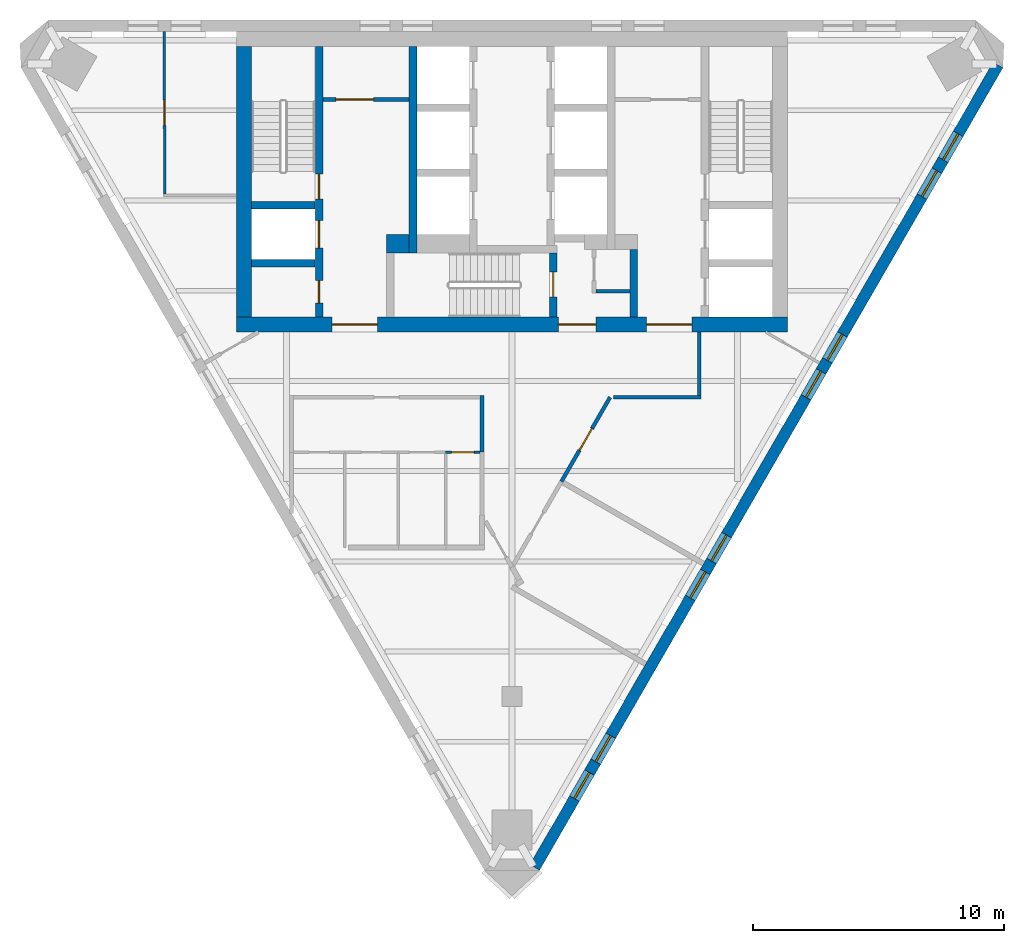
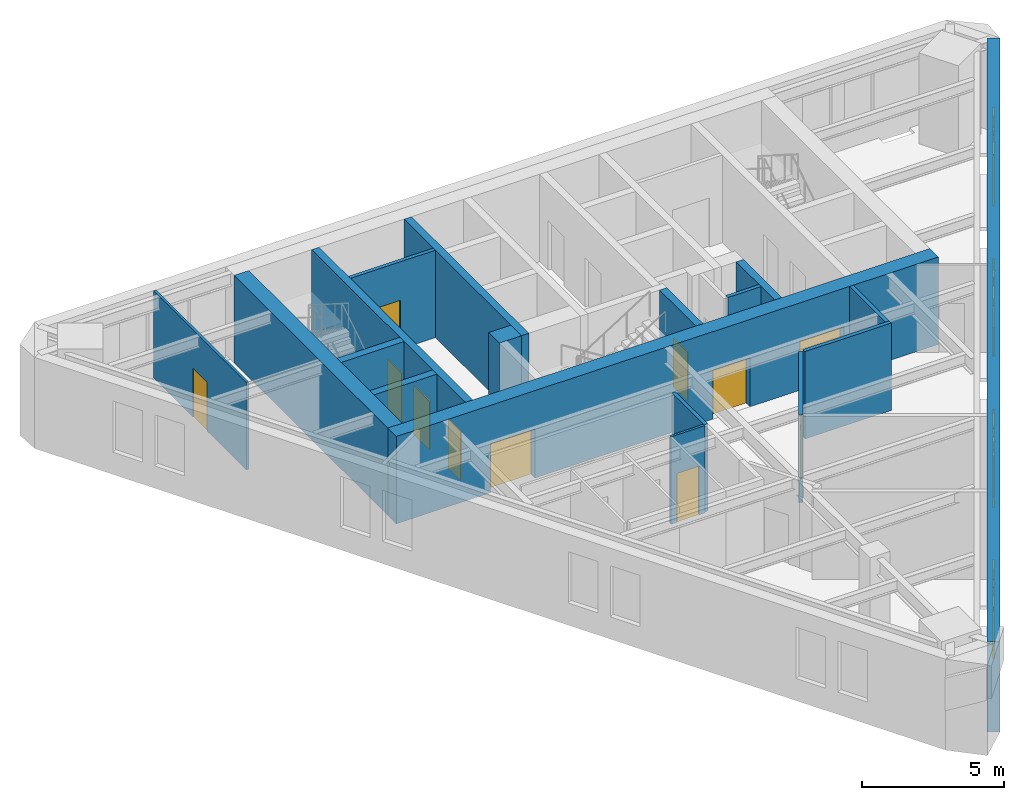
# One storey, part 3 of 6: 18 walls, 11 doors, 8 windows, 19 openings.
"""IFC4 building model written with IfcOpenShell, lengths in metres."""

from ifc_helpers import new_model, si_unit, direction, frame, frame_2d, origin, place, context, subcontext, project, spatial, polyline, rectangle, outline, extrude, material, layer, layer_set, type_object, element, fill, save


model = new_model("IFC4")

# Units and contexts
model_context = context("Model", 3, precision=1e-05, world=origin(), true_north=direction((0.0, 1.0)))
body_context = subcontext(model_context, "Body", "Model", "MODEL_VIEW")
ifc_project = project(units=[si_unit("LENGTHUNIT", "METRE"), si_unit("AREAUNIT", "SQUARE_METRE"), si_unit("VOLUMEUNIT", "CUBIC_METRE"), si_unit("PLANEANGLEUNIT", "RADIAN"), si_unit("MASSUNIT", "GRAM", prefix="KILO")], contexts=[model_context])

# Site, building, storey
site_placement = place(None, origin())
site = spatial("IfcSite", under=ifc_project, at=site_placement, CompositionType="ELEMENT")
building_placement = place(site_placement, origin())
building = spatial("IfcBuilding", under=site, at=building_placement, Name="Aloe Facet Convention Tower", CompositionType="ELEMENT")
storey_placement = place(building_placement, frame((0.0, 0.0, 266.0)))
storey = spatial("IfcBuildingStorey", under=building, at=storey_placement, Name="L65", CompositionType="ELEMENT", Elevation=266.0)

# Wall, opening, door
ifc_material_1 = material(Name="Concrete blockwork partition", Category="masonry")
ifc_layer_1 = layer(ifc_material_1, 0.14990234375)
ifc_layer_set_1 = layer_set([ifc_layer_1], Name="CR-W-PART150")
wall_type_1 = type_object("IfcWallType", Name="CR-W-PART150", PredefinedType="PARTITIONING", material=ifc_layer_set_1)
wall_1_placement = place(storey_placement, frame((72.449951171875, 131.824951171875, 0.0), z_axis=(0.0, 0.0, 1.0), x_axis=(1.0, 0.0, 0.0)))
wall_1 = element("IfcWall", 1, at=wall_1_placement, inside=storey, type_object=wall_type_1, Name="Core partition L65-007", PredefinedType="PARTITIONING", context=body_context, shape_type="SweptSolid", body=[
    extrude(rectangle(XDim=3.449951171875, YDim=0.14990234375, at=frame_2d((1.72509765625, 0.0))), origin(), (0.0, 0.0, 1.0), 3.75),
])
opening_1_placement = place(wall_1_placement, frame((0.52490234375, 0.0, 0.0)))
opening_1 = element("IfcOpeningElement", 2, at=opening_1_placement, cuts=wall_1, Name="Opening L65-CD14", PredefinedType="OPENING", context=body_context, shape_type="SweptSolid", body=[
    extrude(rectangle(XDim=1.5, YDim=2.10009765625, at=frame_2d((0.75, 1.050048828125))), frame((0.0, 0.0849609375, 0.0), z_axis=(0.0, -1.0, 0.0), x_axis=(1.0, 0.0, 0.0)), (0.0, 0.0, 1.0), 0.169921875),
])
ifc_material_2 = material(Name="Steel fire-resisting door set FD60", Category="steel")
door_type_1 = type_object("IfcDoorType", Name="CR-D-REFUGE-1500-FD60-DD", OperationType="DOUBLE_DOOR_DOUBLE_SWING", PredefinedType="DOOR", material=ifc_material_2)
door_1_placement = place(opening_1_placement, origin())
door_1 = element("IfcDoor", 3, at=door_1_placement, inside=storey, type_object=door_type_1, Name="Core door L65-CD14", OperationType="DOUBLE_DOOR_DOUBLE_SWING", OverallHeight=2.10009765625, OverallWidth=1.5, PredefinedType="DOOR", context=body_context, shape_type="SweptSolid", body=[
    extrude(rectangle(XDim=1.5, YDim=2.10009765625, at=frame_2d((0.75, 1.050048828125))), frame((0.0, 0.02490234375, 0.0), z_axis=(0.0, -1.0, 0.0), x_axis=(1.0, 0.0, 0.0)), (0.0, 0.0, 1.0), 0.050048828125),
])
fill(opening_1, door_1)

# Walls
wall_2_placement = place(storey_placement, frame((83.35009765625, 124.175048828125, 0.0), z_axis=(0.0, 0.0, 1.0), x_axis=(1.0, 0.0, 0.0)))
element("IfcWall", 4, at=wall_2_placement, inside=storey, type_object=wall_type_1, Name="Core partition L65-023", PredefinedType="PARTITIONING", context=body_context, shape_type="SweptSolid", body=[
    extrude(rectangle(XDim=1.349853515625, YDim=0.14990234375, at=frame_2d((0.6748046875, 0.0))), origin(), (0.0, 0.0, 1.0), 3.75),
])
ifc_material_3 = material(Name="Concrete C50/60", Category="concrete")
ifc_layer_2 = layer(ifc_material_3, 0.300048828125)
ifc_layer_set_2 = layer_set([ifc_layer_2], Name="CR-W-RC300-C5060")
wall_type_2 = type_object("IfcWallType", Name="CR-W-RC300-C5060", PredefinedType="SOLIDWALL", material=ifc_layer_set_2)
for number, where, z_axis, x_axis, name in (
    (5, (69.60009765625, 127.60009765625, 0.0), (0.0, 0.0, 1.0), (1.0, 0.0, 0.0), "Core wall L65-004"),
    (6, (69.60009765625, 125.300048828125, 0.0), (0.0, 0.0, 1.0), (1.0, 0.0, 0.0), "Core wall L65-005"),
):
    element("IfcWall", number, at=place(storey_placement, frame(where, z_axis=z_axis, x_axis=x_axis)), inside=storey, type_object=wall_type_2, Name=name, PredefinedType="SOLIDWALL", context=body_context, shape_type="SweptSolid", body=[
        extrude(rectangle(XDim=2.5498046875, YDim=0.300048828125, at=frame_2d((1.27490234375, 0.0))), origin(), (0.0, 0.0, 1.0), 3.75),
    ])

# Wall, openings, doors
wall_3_placement = place(storey_placement, frame((72.300048828125, 133.949951171875, 0.0), z_axis=(0.0, 0.0, 1.0), x_axis=(0.0, -1.0, 0.0)))
wall_3 = element("IfcWall", 7, at=wall_3_placement, inside=storey, type_object=wall_type_2, Name="Core wall L65-006", PredefinedType="SOLIDWALL", context=body_context, shape_type="SweptSolid", body=[
    extrude(rectangle(XDim=10.800048828125, YDim=0.300048828125, at=frame_2d((5.39990234375, 0.0))), origin(), (0.0, 0.0, 1.0), 3.75),
])
opening_2_placement = place(wall_3_placement, frame((6.949951171875, 0.0, 0.0)))
opening_2 = element("IfcOpeningElement", 8, at=opening_2_placement, cuts=wall_3, Name="Opening LD-FF1-L65", PredefinedType="OPENING", context=body_context, shape_type="SweptSolid", body=[
    extrude(rectangle(XDim=1.10009765625, YDim=2.10009765625, at=frame_2d((0.550048828125, 1.050048828125))), frame((0.0, 0.16015625, 0.0), z_axis=(0.0, -1.0, 0.0), x_axis=(1.0, 0.0, 0.0)), (0.0, 0.0, 1.0), 0.320068359375),
])
opening_3_placement = place(wall_3_placement, frame((9.35009765625, 0.0, 0.0)))
opening_3 = element("IfcOpeningElement", 9, at=opening_3_placement, cuts=wall_3, Name="Opening L65-CD15", PredefinedType="OPENING", context=body_context, shape_type="SweptSolid", body=[
    extrude(rectangle(XDim=0.89990234375, YDim=2.10009765625, at=frame_2d((0.449951171875, 1.050048828125))), frame((0.0, 0.16015625, 0.0), z_axis=(0.0, -1.0, 0.0), x_axis=(1.0, 0.0, 0.0)), (0.0, 0.0, 1.0), 0.320068359375),
])
opening_4_placement = place(wall_3_placement, frame((5.10009765625, 0.0, 0.0)))
opening_4 = element("IfcOpeningElement", 10, at=opening_4_placement, cuts=wall_3, Name="Opening L65-CD16", PredefinedType="OPENING", context=body_context, shape_type="SweptSolid", body=[
    extrude(rectangle(XDim=1.0, YDim=2.10009765625, at=frame_2d((0.5, 1.050048828125))), frame((0.0, 0.16015625, 0.0), z_axis=(0.0, -1.0, 0.0), x_axis=(1.0, 0.0, 0.0)), (0.0, 0.0, 1.0), 0.320068359375),
])
ifc_material_4 = material(Name="Steel fire-resisting door set FD60", Category="steel")
door_type_2 = type_object("IfcDoorType", Name="CR-D-ROOM-900-FD60-SLEFT", OperationType="SINGLE_SWING_LEFT", PredefinedType="DOOR", material=ifc_material_4)
door_2_placement = place(opening_3_placement, origin())
door_2 = element("IfcDoor", 11, at=door_2_placement, inside=storey, type_object=door_type_2, Name="Core door L65-CD15", OperationType="SINGLE_SWING_LEFT", OverallHeight=2.10009765625, OverallWidth=0.89990234375, PredefinedType="DOOR", context=body_context, shape_type="SweptSolid", body=[
    extrude(rectangle(XDim=0.89990234375, YDim=2.10009765625, at=frame_2d((0.449951171875, 1.050048828125))), frame((0.0, 0.02490234375, 0.0), z_axis=(0.0, -1.0, 0.0), x_axis=(1.0, 0.0, 0.0)), (0.0, 0.0, 1.0), 0.050048828125),
])
fill(opening_3, door_2)
ifc_material_5 = material(Name="Steel fire-resisting door set FD120", Category="steel")
door_type_3 = type_object("IfcDoorType", Name="CR-D-STAIR-1000-FD120-SRIGHT", OperationType="SINGLE_SWING_RIGHT", PredefinedType="DOOR", material=ifc_material_5)
door_3_placement = place(opening_4_placement, origin())
door_3 = element("IfcDoor", 12, at=door_3_placement, inside=storey, type_object=door_type_3, Name="Core door L65-CD16", OperationType="SINGLE_SWING_RIGHT", OverallHeight=2.10009765625, OverallWidth=1.0, PredefinedType="DOOR", context=body_context, shape_type="SweptSolid", body=[
    extrude(rectangle(XDim=1.0, YDim=2.10009765625, at=frame_2d((0.5, 1.050048828125))), frame((0.0, 0.02490234375, 0.0), z_axis=(0.0, -1.0, 0.0), x_axis=(1.0, 0.0, 0.0)), (0.0, 0.0, 1.0), 0.050048828125),
])
fill(opening_4, door_3)
ifc_material_6 = material(Name="Stainless steel sliding landing door", Category="steel")
door_type_4 = type_object("IfcDoorType", Name="CR-LD-1100-FD120-_LEFT", OperationType="SLIDING_TO_LEFT", PredefinedType="DOOR", material=ifc_material_6)
door_4_placement = place(opening_2_placement, origin())
door_4 = element("IfcDoor", 13, at=door_4_placement, inside=storey, type_object=door_type_4, Name="Landing door FF1 L65", OperationType="SLIDING_TO_LEFT", OverallHeight=2.10009765625, OverallWidth=1.10009765625, PredefinedType="DOOR", context=body_context, shape_type="SweptSolid", body=[
    extrude(rectangle(XDim=1.10009765625, YDim=2.10009765625, at=frame_2d((0.550048828125, 1.050048828125))), frame((0.0, 0.02490234375, 0.0), z_axis=(0.0, -1.0, 0.0), x_axis=(1.0, 0.0, 0.0)), (0.0, 0.0, 1.0), 0.050048828125),
])
fill(opening_2, door_4)

# Wall
wall_4_placement = place(storey_placement, frame((76.050048828125, 133.949951171875, 0.0), z_axis=(0.0, 0.0, 1.0), x_axis=(0.0, -1.0, 0.0)))
element("IfcWall", 14, at=wall_4_placement, inside=storey, type_object=wall_type_2, Name="Core wall L65-010", PredefinedType="SOLIDWALL", context=body_context, shape_type="SweptSolid", body=[
    extrude(rectangle(XDim=8.25, YDim=0.300048828125, at=frame_2d((4.125, 0.0))), origin(), (0.0, 0.0, 1.0), 3.75),
])

# Wall, opening, door
wall_5_placement = place(storey_placement, frame((81.64990234375, 125.699951171875, 0.0), z_axis=(0.0, 0.0, 1.0), x_axis=(0.0, -1.0, 0.0)))
wall_5 = element("IfcWall", 15, at=wall_5_placement, inside=storey, type_object=wall_type_2, Name="Core wall L65-017", PredefinedType="SOLIDWALL", context=body_context, shape_type="SweptSolid", body=[
    extrude(rectangle(XDim=2.550048828125, YDim=0.300048828125, at=frame_2d((1.27490234375, 0.0))), origin(), (0.0, 0.0, 1.0), 3.75),
])
opening_5_placement = place(wall_5_placement, frame((0.75, 0.0, 0.0)))
opening_5 = element("IfcOpeningElement", 16, at=opening_5_placement, cuts=wall_5, Name="Opening L65-CD18", PredefinedType="OPENING", context=body_context, shape_type="SweptSolid", body=[
    extrude(rectangle(XDim=1.0, YDim=2.10009765625, at=frame_2d((0.5, 1.050048828125))), frame((0.0, 0.16015625, 0.0), z_axis=(0.0, -1.0, 0.0), x_axis=(1.0, 0.0, 0.0)), (0.0, 0.0, 1.0), 0.320068359375),
])
ifc_material_7 = material(Name="Steel fire-resisting door set FD120", Category="steel")
door_type_5 = type_object("IfcDoorType", Name="CR-D-STAIR-1000-FD120-SLEFT", OperationType="SINGLE_SWING_LEFT", PredefinedType="DOOR", material=ifc_material_7)
door_5_placement = place(opening_5_placement, origin())
door_5 = element("IfcDoor", 17, at=door_5_placement, inside=storey, type_object=door_type_5, Name="Core door L65-CD18", OperationType="SINGLE_SWING_LEFT", OverallHeight=2.10009765625, OverallWidth=1.0, PredefinedType="DOOR", context=body_context, shape_type="SweptSolid", body=[
    extrude(rectangle(XDim=1.0, YDim=2.10009765625, at=frame_2d((0.5, 1.050048828125))), frame((0.0, 0.02490234375, 0.0), z_axis=(0.0, -1.0, 0.0), x_axis=(1.0, 0.0, 0.0)), (0.0, 0.0, 1.0), 0.050048828125),
])
fill(opening_5, door_5)

# Walls
wall_6_placement = place(storey_placement, frame((84.85009765625, 125.85009765625, 0.0), z_axis=(0.0, 0.0, 1.0), x_axis=(0.0, -1.0, 0.0)))
element("IfcWall", 18, at=wall_6_placement, inside=storey, type_object=wall_type_2, Name="Core wall L65-027", PredefinedType="SOLIDWALL", context=body_context, shape_type="SweptSolid", body=[
    extrude(rectangle(XDim=2.7001953125, YDim=0.300048828125, at=frame_2d((1.35009765625, 0.0))), origin(), (0.0, 0.0, 1.0), 3.75),
])
ifc_material_8 = material(Name="Concrete C50/60", Category="concrete")
ifc_layer_3 = layer(ifc_material_8, 0.60009765625)
ifc_layer_set_3 = layer_set([ifc_layer_3], Name="CR-W-RC600-C5060")
wall_type_3 = type_object("IfcWallType", Name="CR-W-RC600-C5060", PredefinedType="SOLIDWALL", material=ifc_layer_set_3)
wall_7_placement = place(storey_placement, frame((69.300048828125, 133.949951171875, 0.0), z_axis=(0.0, 0.0, 1.0), x_axis=(0.0, -1.0, 0.0)))
element("IfcWall", 19, at=wall_7_placement, inside=storey, type_object=wall_type_3, Name="Core wall L65-002", PredefinedType="SOLIDWALL", context=body_context, shape_type="SweptSolid", body=[
    extrude(rectangle(XDim=10.800048828125, YDim=0.60009765625, at=frame_2d((5.39990234375, 0.0))), origin(), (0.0, 0.0, 1.0), 3.75),
])

# Wall, openings, doors
wall_8_placement = place(storey_placement, frame((69.0, 122.85009765625, 0.0), z_axis=(0.0, 0.0, 1.0), x_axis=(1.0, 0.0, 0.0)))
wall_8 = element("IfcWall", 20, at=wall_8_placement, inside=storey, type_object=wall_type_3, Name="Core wall L65-003", PredefinedType="SOLIDWALL", context=body_context, shape_type="SweptSolid", body=[
    extrude(rectangle(XDim=22.0, YDim=0.60009765625, at=frame_2d((11.0, 0.0))), origin(), (0.0, 0.0, 1.0), 3.75),
])
opening_6_placement = place(wall_8_placement, frame((16.375, 0.0, 0.0)))
opening_6 = element("IfcOpeningElement", 21, at=opening_6_placement, cuts=wall_8, Name="Opening L65-CD09", PredefinedType="OPENING", context=body_context, shape_type="SweptSolid", body=[
    extrude(rectangle(XDim=1.800048828125, YDim=2.10009765625, at=frame_2d((0.89990234375, 1.050048828125))), frame((0.0, 0.31005859375, 0.0), z_axis=(0.0, -1.0, 0.0), x_axis=(1.0, 0.0, 0.0)), (0.0, 0.0, 1.0), 0.6201171875),
])
opening_7_placement = place(wall_8_placement, frame((3.824951171875, 0.0, 0.0)))
opening_7 = element("IfcOpeningElement", 22, at=opening_7_placement, cuts=wall_8, Name="Opening L65-CD10", PredefinedType="OPENING", context=body_context, shape_type="SweptSolid", body=[
    extrude(rectangle(XDim=1.800048828125, YDim=2.10009765625, at=frame_2d((0.89990234375, 1.050048828125))), frame((0.0, 0.31005859375, 0.0), z_axis=(0.0, -1.0, 0.0), x_axis=(1.0, 0.0, 0.0)), (0.0, 0.0, 1.0), 0.6201171875),
])
opening_8_placement = place(wall_8_placement, frame((12.85009765625, 0.0, 0.0)))
opening_8 = element("IfcOpeningElement", 23, at=opening_8_placement, cuts=wall_8, Name="Opening L65-CD11", PredefinedType="OPENING", context=body_context, shape_type="SweptSolid", body=[
    extrude(rectangle(XDim=1.5, YDim=2.10009765625, at=frame_2d((0.75, 1.050048828125))), frame((0.0, 0.31005859375, 0.0), z_axis=(0.0, -1.0, 0.0), x_axis=(1.0, 0.0, 0.0)), (0.0, 0.0, 1.0), 0.6201171875),
])
ifc_material_9 = material(Name="Steel fire-resisting door set FD60", Category="steel")
door_type_6 = type_object("IfcDoorType", Name="CR-D-EXIT-1500-FD60-DD", OperationType="DOUBLE_DOOR_DOUBLE_SWING", PredefinedType="DOOR", material=ifc_material_9)
door_6_placement = place(opening_8_placement, origin())
door_6 = element("IfcDoor", 24, at=door_6_placement, inside=storey, type_object=door_type_6, Name="Core door L65-CD11", OperationType="DOUBLE_DOOR_DOUBLE_SWING", OverallHeight=2.10009765625, OverallWidth=1.5, PredefinedType="DOOR", context=body_context, shape_type="SweptSolid", body=[
    extrude(rectangle(XDim=1.5, YDim=2.10009765625, at=frame_2d((0.75, 1.050048828125))), frame((0.0, 0.02490234375, 0.0), z_axis=(0.0, -1.0, 0.0), x_axis=(1.0, 0.0, 0.0)), (0.0, 0.0, 1.0), 0.050048828125),
])
fill(opening_8, door_6)
ifc_material_10 = material(Name="Steel fire-resisting door set FD120", Category="steel")
door_type_7 = type_object("IfcDoorType", Name="CR-D-EXIT-1800-FD120-DD", OperationType="DOUBLE_DOOR_DOUBLE_SWING", PredefinedType="DOOR", material=ifc_material_10)
door_7_placement = place(opening_6_placement, origin())
door_7 = element("IfcDoor", 25, at=door_7_placement, inside=storey, type_object=door_type_7, Name="Core door L65-CD09", OperationType="DOUBLE_DOOR_DOUBLE_SWING", OverallHeight=2.10009765625, OverallWidth=1.800048828125, PredefinedType="DOOR", context=body_context, shape_type="SweptSolid", body=[
    extrude(rectangle(XDim=1.800048828125, YDim=2.10009765625, at=frame_2d((0.89990234375, 1.050048828125))), frame((0.0, 0.02490234375, 0.0), z_axis=(0.0, -1.0, 0.0), x_axis=(1.0, 0.0, 0.0)), (0.0, 0.0, 1.0), 0.050048828125),
])
fill(opening_6, door_7)
door_8_placement = place(opening_7_placement, origin())
door_8 = element("IfcDoor", 26, at=door_8_placement, inside=storey, type_object=door_type_7, Name="Core door L65-CD10", OperationType="DOUBLE_DOOR_DOUBLE_SWING", OverallHeight=2.10009765625, OverallWidth=1.800048828125, PredefinedType="DOOR", context=body_context, shape_type="SweptSolid", body=[
    extrude(rectangle(XDim=1.800048828125, YDim=2.10009765625, at=frame_2d((0.89990234375, 1.050048828125))), frame((0.0, 0.02490234375, 0.0), z_axis=(0.0, -1.0, 0.0), x_axis=(1.0, 0.0, 0.0)), (0.0, 0.0, 1.0), 0.050048828125),
])
fill(opening_7, door_8)

# Wall
ifc_material_11 = material(Name="Concrete C50/60", Category="concrete")
ifc_layer_4 = layer(ifc_material_11, 0.75)
ifc_layer_set_4 = layer_set([ifc_layer_4], Name="CR-W-RC750-C5060")
wall_type_4 = type_object("IfcWallType", Name="CR-W-RC750-C5060", PredefinedType="SOLIDWALL", material=ifc_layer_set_4)
wall_9_placement = place(storey_placement, frame((75.0, 126.074951171875, 0.0), z_axis=(0.0, 0.0, 1.0), x_axis=(1.0, 0.0, 0.0)))
element("IfcWall", 27, at=wall_9_placement, inside=storey, type_object=wall_type_4, Name="Core wall L65-008", PredefinedType="SOLIDWALL", context=body_context, shape_type="SweptSolid", body=[
    extrude(rectangle(XDim=0.89990234375, YDim=0.75, at=frame_2d((0.449951171875, 0.0))), origin(), (0.0, 0.0, 1.0), 3.75),
])

# Wall, openings, windows
ifc_material_12 = material(Name="Precast concrete C40/50", Category="concrete")
ifc_layer_5 = layer(ifc_material_12, 0.449951171875)
ifc_layer_set_5 = layer_set([ifc_layer_5], Name="EV-WALL-STONE")
wall_type_5 = type_object("IfcWallType", Name="EV-WALL-STONE", PredefinedType="SOLIDWALL", material=ifc_layer_set_5)
wall_10_placement = place(storey_placement, frame((80.905029296875, 101.188232421875, -0.14990234375), z_axis=(0.0, 0.0, 1.0), x_axis=(0.500002536638, 0.866023939251, 0.0)))
wall_10 = element("IfcWall", 28, at=wall_10_placement, inside=storey, type_object=wall_type_5, Name="EW-L65-E01", PredefinedType="SOLIDWALL", context=body_context, shape_type="SweptSolid", body=[
    extrude(outline(polyline([(36.972412109375, 0.0), (36.972412109375, 3.89990234375), (0.0, 3.89990234375), (0.0, 0.0), (36.972412109375, 0.0)])), frame((0.0, 0.22509765625, 0.0), z_axis=(0.0, -1.0, 0.0), x_axis=(1.0, 0.0, 0.0)), (0.0, 0.0, 1.0), 0.449951171875),
])
opening_9_placement = place(wall_10_placement, frame((3.171630859375, 0.0, 0.949951171875)))
opening_9 = element("IfcOpeningElement", 29, at=opening_9_placement, cuts=wall_10, Name="Opening W-L65-E01", PredefinedType="OPENING", context=body_context, shape_type="SweptSolid", body=[
    extrude(rectangle(XDim=1.199951171875, YDim=2.199951171875, at=frame_2d((0.60009765625, 1.10009765625))), frame((0.0, 0.23486328125, 0.0), z_axis=(0.0, -1.0, 0.0), x_axis=(1.0, 0.0, 0.0)), (0.0, 0.0, 1.0), 0.469970703125),
])
opening_10_placement = place(wall_10_placement, frame((4.87158203125, 0.0, 0.949951171875)))
opening_10 = element("IfcOpeningElement", 30, at=opening_10_placement, cuts=wall_10, Name="Opening W-L65-E02", PredefinedType="OPENING", context=body_context, shape_type="SweptSolid", body=[
    extrude(rectangle(XDim=1.199951171875, YDim=2.199951171875, at=frame_2d((0.60009765625, 1.10009765625))), frame((0.0, 0.23486328125, 0.0), z_axis=(0.0, -1.0, 0.0), x_axis=(1.0, 0.0, 0.0)), (0.0, 0.0, 1.0), 0.469970703125),
])
opening_11_placement = place(wall_10_placement, frame((12.41455078125, 0.0, 0.949951171875)))
opening_11 = element("IfcOpeningElement", 31, at=opening_11_placement, cuts=wall_10, Name="Opening W-L65-E03", PredefinedType="OPENING", context=body_context, shape_type="SweptSolid", body=[
    extrude(rectangle(XDim=1.199951171875, YDim=2.199951171875, at=frame_2d((0.60009765625, 1.10009765625))), frame((0.0, 0.23486328125, 0.0), z_axis=(0.0, -1.0, 0.0), x_axis=(1.0, 0.0, 0.0)), (0.0, 0.0, 1.0), 0.469970703125),
])
opening_12_placement = place(wall_10_placement, frame((14.114501953125, 0.0, 0.949951171875)))
opening_12 = element("IfcOpeningElement", 32, at=opening_12_placement, cuts=wall_10, Name="Opening W-L65-E04", PredefinedType="OPENING", context=body_context, shape_type="SweptSolid", body=[
    extrude(rectangle(XDim=1.199951171875, YDim=2.199951171875, at=frame_2d((0.60009765625, 1.10009765625))), frame((0.0, 0.23486328125, 0.0), z_axis=(0.0, -1.0, 0.0), x_axis=(1.0, 0.0, 0.0)), (0.0, 0.0, 1.0), 0.469970703125),
])
opening_13_placement = place(wall_10_placement, frame((21.65771484375, 0.0, 0.949951171875)))
opening_13 = element("IfcOpeningElement", 33, at=opening_13_placement, cuts=wall_10, Name="Opening W-L65-E05", PredefinedType="OPENING", context=body_context, shape_type="SweptSolid", body=[
    extrude(rectangle(XDim=1.199951171875, YDim=2.199951171875, at=frame_2d((0.60009765625, 1.10009765625))), frame((0.0, 0.23486328125, 0.0), z_axis=(0.0, -1.0, 0.0), x_axis=(1.0, 0.0, 0.0)), (0.0, 0.0, 1.0), 0.469970703125),
])
opening_14_placement = place(wall_10_placement, frame((23.357666015625, 0.0, 0.949951171875)))
opening_14 = element("IfcOpeningElement", 34, at=opening_14_placement, cuts=wall_10, Name="Opening W-L65-E06", PredefinedType="OPENING", context=body_context, shape_type="SweptSolid", body=[
    extrude(rectangle(XDim=1.199951171875, YDim=2.199951171875, at=frame_2d((0.60009765625, 1.10009765625))), frame((0.0, 0.23486328125, 0.0), z_axis=(0.0, -1.0, 0.0), x_axis=(1.0, 0.0, 0.0)), (0.0, 0.0, 1.0), 0.469970703125),
])
opening_15_placement = place(wall_10_placement, frame((30.90087890625, 0.0, 0.949951171875)))
opening_15 = element("IfcOpeningElement", 35, at=opening_15_placement, cuts=wall_10, Name="Opening W-L65-E07", PredefinedType="OPENING", context=body_context, shape_type="SweptSolid", body=[
    extrude(rectangle(XDim=1.199951171875, YDim=2.199951171875, at=frame_2d((0.60009765625, 1.10009765625))), frame((0.0, 0.23486328125, 0.0), z_axis=(0.0, -1.0, 0.0), x_axis=(1.0, 0.0, 0.0)), (0.0, 0.0, 1.0), 0.469970703125),
])
opening_16_placement = place(wall_10_placement, frame((32.600830078125, 0.0, 0.949951171875)))
opening_16 = element("IfcOpeningElement", 36, at=opening_16_placement, cuts=wall_10, Name="Opening W-L65-E08", PredefinedType="OPENING", context=body_context, shape_type="SweptSolid", body=[
    extrude(rectangle(XDim=1.199951171875, YDim=2.199951171875, at=frame_2d((0.60009765625, 1.10009765625))), frame((0.0, 0.23486328125, 0.0), z_axis=(0.0, -1.0, 0.0), x_axis=(1.0, 0.0, 0.0)), (0.0, 0.0, 1.0), 0.469970703125),
])
ifc_material_13 = material(Name="Aluminium frame, clear double glazing", Category="aluminium")
window_type = type_object("IfcWindowType", Name="EV-WIN-O12", PartitioningType="SINGLE_PANEL", PredefinedType="WINDOW", material=ifc_material_13)
window_1_placement = place(opening_9_placement, origin())
window_1 = element("IfcWindow", 37, at=window_1_placement, inside=storey, type_object=window_type, Name="W-L65-E01", OverallHeight=2.199951171875, OverallWidth=1.199951171875, PartitioningType="SINGLE_PANEL", PredefinedType="WINDOW", context=body_context, shape_type="SweptSolid", body=[
    extrude(rectangle(XDim=1.199951171875, YDim=2.199951171875, at=frame_2d((0.60009765625, 1.10009765625))), frame((0.0, 0.030029296875, 0.0), z_axis=(0.0, -1.0, 0.0), x_axis=(1.0, 0.0, 0.0)), (0.0, 0.0, 1.0), 0.06005859375),
])
fill(opening_9, window_1)
window_2_placement = place(opening_10_placement, origin())
window_2 = element("IfcWindow", 38, at=window_2_placement, inside=storey, type_object=window_type, Name="W-L65-E02", OverallHeight=2.199951171875, OverallWidth=1.199951171875, PartitioningType="SINGLE_PANEL", PredefinedType="WINDOW", context=body_context, shape_type="SweptSolid", body=[
    extrude(rectangle(XDim=1.199951171875, YDim=2.199951171875, at=frame_2d((0.60009765625, 1.10009765625))), frame((0.0, 0.030029296875, 0.0), z_axis=(0.0, -1.0, 0.0), x_axis=(1.0, 0.0, 0.0)), (0.0, 0.0, 1.0), 0.06005859375),
])
fill(opening_10, window_2)
window_3_placement = place(opening_11_placement, origin())
window_3 = element("IfcWindow", 39, at=window_3_placement, inside=storey, type_object=window_type, Name="W-L65-E03", OverallHeight=2.199951171875, OverallWidth=1.199951171875, PartitioningType="SINGLE_PANEL", PredefinedType="WINDOW", context=body_context, shape_type="SweptSolid", body=[
    extrude(rectangle(XDim=1.199951171875, YDim=2.199951171875, at=frame_2d((0.60009765625, 1.10009765625))), frame((0.0, 0.030029296875, 0.0), z_axis=(0.0, -1.0, 0.0), x_axis=(1.0, 0.0, 0.0)), (0.0, 0.0, 1.0), 0.06005859375),
])
fill(opening_11, window_3)
window_4_placement = place(opening_12_placement, origin())
window_4 = element("IfcWindow", 40, at=window_4_placement, inside=storey, type_object=window_type, Name="W-L65-E04", OverallHeight=2.199951171875, OverallWidth=1.199951171875, PartitioningType="SINGLE_PANEL", PredefinedType="WINDOW", context=body_context, shape_type="SweptSolid", body=[
    extrude(rectangle(XDim=1.199951171875, YDim=2.199951171875, at=frame_2d((0.60009765625, 1.10009765625))), frame((0.0, 0.030029296875, 0.0), z_axis=(0.0, -1.0, 0.0), x_axis=(1.0, 0.0, 0.0)), (0.0, 0.0, 1.0), 0.06005859375),
])
fill(opening_12, window_4)
window_5_placement = place(opening_13_placement, origin())
window_5 = element("IfcWindow", 41, at=window_5_placement, inside=storey, type_object=window_type, Name="W-L65-E05", OverallHeight=2.199951171875, OverallWidth=1.199951171875, PartitioningType="SINGLE_PANEL", PredefinedType="WINDOW", context=body_context, shape_type="SweptSolid", body=[
    extrude(rectangle(XDim=1.199951171875, YDim=2.199951171875, at=frame_2d((0.60009765625, 1.10009765625))), frame((0.0, 0.030029296875, 0.0), z_axis=(0.0, -1.0, 0.0), x_axis=(1.0, 0.0, 0.0)), (0.0, 0.0, 1.0), 0.06005859375),
])
fill(opening_13, window_5)
window_6_placement = place(opening_14_placement, origin())
window_6 = element("IfcWindow", 42, at=window_6_placement, inside=storey, type_object=window_type, Name="W-L65-E06", OverallHeight=2.199951171875, OverallWidth=1.199951171875, PartitioningType="SINGLE_PANEL", PredefinedType="WINDOW", context=body_context, shape_type="SweptSolid", body=[
    extrude(rectangle(XDim=1.199951171875, YDim=2.199951171875, at=frame_2d((0.60009765625, 1.10009765625))), frame((0.0, 0.030029296875, 0.0), z_axis=(0.0, -1.0, 0.0), x_axis=(1.0, 0.0, 0.0)), (0.0, 0.0, 1.0), 0.06005859375),
])
fill(opening_14, window_6)
window_7_placement = place(opening_15_placement, origin())
window_7 = element("IfcWindow", 43, at=window_7_placement, inside=storey, type_object=window_type, Name="W-L65-E07", OverallHeight=2.199951171875, OverallWidth=1.199951171875, PartitioningType="SINGLE_PANEL", PredefinedType="WINDOW", context=body_context, shape_type="SweptSolid", body=[
    extrude(rectangle(XDim=1.199951171875, YDim=2.199951171875, at=frame_2d((0.60009765625, 1.10009765625))), frame((0.0, 0.030029296875, 0.0), z_axis=(0.0, -1.0, 0.0), x_axis=(1.0, 0.0, 0.0)), (0.0, 0.0, 1.0), 0.06005859375),
])
fill(opening_15, window_7)
window_8_placement = place(opening_16_placement, origin())
window_8 = element("IfcWindow", 44, at=window_8_placement, inside=storey, type_object=window_type, Name="W-L65-E08", OverallHeight=2.199951171875, OverallWidth=1.199951171875, PartitioningType="SINGLE_PANEL", PredefinedType="WINDOW", context=body_context, shape_type="SweptSolid", body=[
    extrude(rectangle(XDim=1.199951171875, YDim=2.199951171875, at=frame_2d((0.60009765625, 1.10009765625))), frame((0.0, 0.030029296875, 0.0), z_axis=(0.0, -1.0, 0.0), x_axis=(1.0, 0.0, 0.0)), (0.0, 0.0, 1.0), 0.06005859375),
])
fill(opening_16, window_8)

# Wall
ifc_material_14 = material(Name="Gypsum board partition on steel studs", Category="steel")
ifc_layer_6 = layer(ifc_material_14, 0.14990234375)
ifc_layer_set_6 = layer_set([ifc_layer_6], Name="IN-W-CORR")
wall_type_6 = type_object("IfcWallType", Name="IN-W-CORR", PredefinedType="PARTITIONING", material=ifc_layer_set_6)
wall_11_placement = place(storey_placement, frame((78.800048828125, 117.760009765625, 0.0), z_axis=(0.0, 0.0, 1.0), x_axis=(0.0, 1.0, 0.0)))
element("IfcWall", 45, at=wall_11_placement, inside=storey, type_object=wall_type_6, Name="Partition L65-W012", PredefinedType="PARTITIONING", context=body_context, shape_type="SweptSolid", body=[
    extrude(rectangle(XDim=2.262939453125, YDim=0.14990234375, at=frame_2d((1.13134765625, 0.0))), origin(), (0.0, 0.0, 1.0), 3.75),
])

# Wall, opening, door
wall_12_placement = place(storey_placement, frame((81.97021484375, 116.5830078125, 0.0), z_axis=(0.0, 0.0, 1.0), x_axis=(0.500003384379, 0.866023449803, 0.0)))
wall_12 = element("IfcWall", 46, at=wall_12_placement, inside=storey, type_object=wall_type_6, Name="Partition L65-W022", PredefinedType="PARTITIONING", context=body_context, shape_type="SweptSolid", body=[
    extrude(rectangle(XDim=3.88671875, YDim=0.14990234375, at=frame_2d((1.943359375, 0.0))), origin(), (0.0, 0.0, 1.0), 3.75),
])
opening_17_placement = place(wall_12_placement, frame((1.443359375, 0.0, 0.0)))
opening_17 = element("IfcOpeningElement", 47, at=opening_17_placement, cuts=wall_12, Name="Opening L65-011", PredefinedType="OPENING", context=body_context, shape_type="SweptSolid", body=[
    extrude(rectangle(XDim=1.0, YDim=2.10009765625, at=frame_2d((0.5, 1.050048828125))), frame((0.0, 0.0849609375, 0.0), z_axis=(0.0, -1.0, 0.0), x_axis=(1.0, 0.0, 0.0)), (0.0, 0.0, 1.0), 0.169921875),
])
ifc_material_15 = material(Name="Timber door FD30S with vision panel", Category="wood")
door_type_8 = type_object("IfcDoorType", Name="IN-OFF-D-ENTRY", OperationType="SINGLE_SWING_LEFT", PredefinedType="DOOR", material=ifc_material_15)
door_9_placement = place(opening_17_placement, origin())
door_9 = element("IfcDoor", 48, at=door_9_placement, inside=storey, type_object=door_type_8, Name="Door L65-011", OperationType="SINGLE_SWING_LEFT", OverallHeight=2.10009765625, OverallWidth=1.0, PredefinedType="DOOR", context=body_context, shape_type="SweptSolid", body=[
    extrude(rectangle(XDim=1.0, YDim=2.10009765625, at=frame_2d((0.5, 1.050048828125))), frame((0.0, 0.02490234375, 0.0), z_axis=(0.0, -1.0, 0.0), x_axis=(1.0, 0.0, 0.0)), (0.0, 0.0, 1.0), 0.050048828125),
])
fill(opening_17, door_9)

# Walls
wall_13_placement = place(storey_placement, frame((84.04345703125, 119.948974609375, 0.0), z_axis=(0.0, 0.0, 1.0), x_axis=(0.999999961215, 0.000278512731, 0.0)))
element("IfcWall", 49, at=wall_13_placement, inside=storey, type_object=wall_type_6, Name="Partition L65-W024", PredefinedType="PARTITIONING", context=body_context, shape_type="SweptSolid", body=[
    extrude(rectangle(XDim=3.50634765625, YDim=0.14990234375, at=frame_2d((1.753173828125, 0.0))), origin(), (0.0, 0.0, 1.0), 3.75),
])
wall_14_placement = place(storey_placement, frame((87.474853515625, 120.02490234375, 0.0), z_axis=(0.0, 0.0, 1.0), x_axis=(9.6693096e-05, 0.999999995325, 0.0)))
element("IfcWall", 50, at=wall_14_placement, inside=storey, type_object=wall_type_6, Name="Partition L65-W026", PredefinedType="PARTITIONING", context=body_context, shape_type="SweptSolid", body=[
    extrude(rectangle(XDim=2.52490234375, YDim=0.14990234375, at=frame_2d((1.262451171875, 0.0))), origin(), (0.0, 0.0, 1.0), 3.75),
])

# Wall, opening, door
ifc_material_16 = material(Name="Gypsum board partition on steel studs", Category="steel")
ifc_layer_7 = layer(ifc_material_16, 0.10009765625)
ifc_layer_set_7 = layer_set([ifc_layer_7], Name="IN-W-PART")
wall_type_7 = type_object("IfcWallType", Name="IN-W-PART", PredefinedType="PARTITIONING", material=ifc_layer_set_7)
wall_15_placement = place(storey_placement, frame((77.35595703125, 117.75, 0.0), z_axis=(0.0, 0.0, 1.0), x_axis=(0.999975819379, 0.006954182767, 0.0)))
wall_15 = element("IfcWall", 51, at=wall_15_placement, inside=storey, type_object=wall_type_7, Name="Partition L65-W019", PredefinedType="PARTITIONING", context=body_context, shape_type="SweptSolid", body=[
    extrude(rectangle(XDim=1.369140625, YDim=0.10009765625, at=frame_2d((0.6845703125, 0.0))), origin(), (0.0, 0.0, 1.0), 3.75),
])
opening_18_placement = place(wall_15_placement, frame((0.234619140625, 0.0, 0.0)))
opening_18 = element("IfcOpeningElement", 52, at=opening_18_placement, cuts=wall_15, Name="Opening L65-005", PredefinedType="OPENING", context=body_context, shape_type="SweptSolid", body=[
    extrude(rectangle(XDim=0.89990234375, YDim=2.10009765625, at=frame_2d((0.449951171875, 1.050048828125))), frame((0.0, 0.06005859375, 0.0), z_axis=(0.0, -1.0, 0.0), x_axis=(1.0, 0.0, 0.0)), (0.0, 0.0, 1.0), 0.1201171875),
])
ifc_material_17 = material(Name="Timber door", Category="wood")
door_type_9 = type_object("IfcDoorType", Name="IN-OFF-D-ROOM", OperationType="SINGLE_SWING_LEFT", PredefinedType="DOOR", material=ifc_material_17)
door_10_placement = place(opening_18_placement, origin())
door_10 = element("IfcDoor", 53, at=door_10_placement, inside=storey, type_object=door_type_9, Name="Door L65-005", OperationType="SINGLE_SWING_LEFT", OverallHeight=2.10009765625, OverallWidth=0.89990234375, PredefinedType="DOOR", context=body_context, shape_type="SweptSolid", body=[
    extrude(rectangle(XDim=0.89990234375, YDim=2.10009765625, at=frame_2d((0.449951171875, 1.050048828125))), frame((0.0, 0.02490234375, 0.0), z_axis=(0.0, -1.0, 0.0), x_axis=(1.0, 0.0, 0.0)), (0.0, 0.0, 1.0), 0.050048828125),
])
fill(opening_18, door_10)

wall_16_placement = place(storey_placement, frame((66.13232421875, 134.550048828125, 0.0), z_axis=(0.0, 0.0, 1.0), x_axis=(0.000788761774, -0.999999688927, 0.0)))
wall_16 = element("IfcWall", 54, at=wall_16_placement, inside=storey, type_object=wall_type_7, Name="Partition L65-W029", PredefinedType="PARTITIONING", context=body_context, shape_type="SweptSolid", body=[
    extrude(rectangle(XDim=6.5, YDim=0.10009765625, at=frame_2d((3.25, 0.0))), origin(), (0.0, 0.0, 1.0), 3.75),
])
opening_19_placement = place(wall_16_placement, frame((2.75, 0.0, 0.0)))
opening_19 = element("IfcOpeningElement", 55, at=opening_19_placement, cuts=wall_16, Name="Opening L65-007", PredefinedType="OPENING", context=body_context, shape_type="SweptSolid", body=[
    extrude(rectangle(XDim=1.0, YDim=2.10009765625, at=frame_2d((0.5, 1.050048828125))), frame((0.0, 0.06005859375, 0.0), z_axis=(0.0, -1.0, 0.0), x_axis=(1.0, 0.0, 0.0)), (0.0, 0.0, 1.0), 0.1201171875),
])
ifc_material_18 = material(Name="Timber door", Category="wood")
door_type_10 = type_object("IfcDoorType", Name="IN-OFF-D-WIDE", OperationType="SINGLE_SWING_LEFT", PredefinedType="DOOR", material=ifc_material_18)
door_11_placement = place(opening_19_placement, origin())
door_11 = element("IfcDoor", 56, at=door_11_placement, inside=storey, type_object=door_type_10, Name="Door L65-007", OperationType="SINGLE_SWING_LEFT", OverallHeight=2.10009765625, OverallWidth=1.0, PredefinedType="DOOR", context=body_context, shape_type="SweptSolid", body=[
    extrude(rectangle(XDim=1.0, YDim=2.10009765625, at=frame_2d((0.5, 1.050048828125))), frame((0.0, 0.02490234375, 0.0), z_axis=(0.0, -1.0, 0.0), x_axis=(1.0, 0.0, 0.0)), (0.0, 0.0, 1.0), 0.050048828125),
])
fill(opening_19, door_11)

save(model, "model.ifc")
